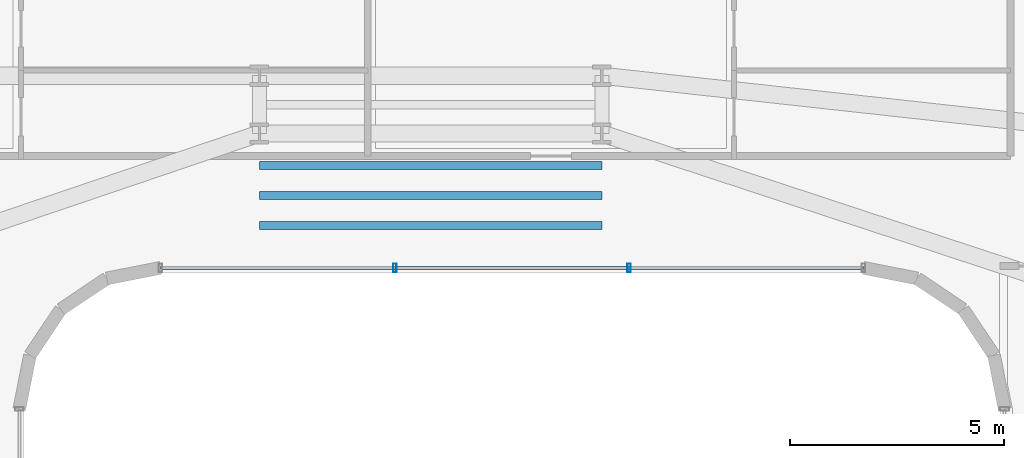
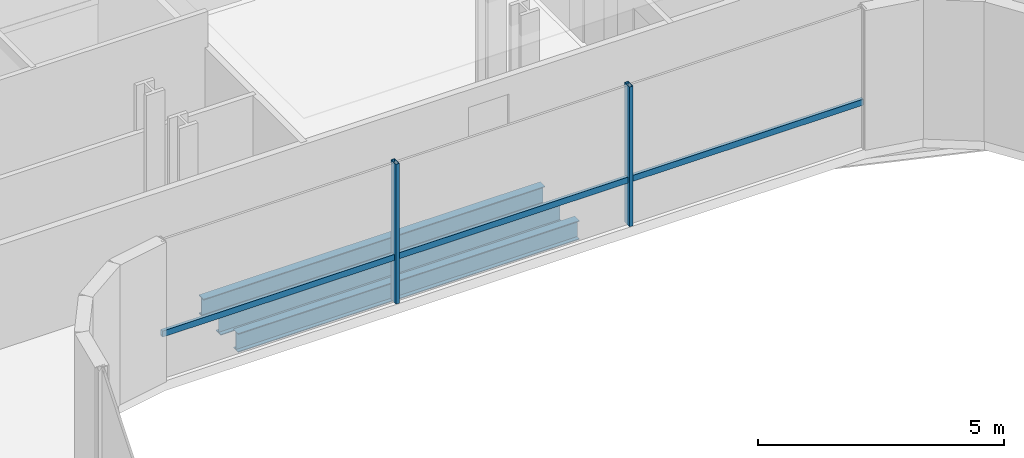
# One storey, part 14 of 40: 3 beams, 3 members, 1 element without a shape of its own.
"""IFC4 building model written with IfcOpenShell, lengths in metres."""

import ifcopenshell
import ifcopenshell.guid

model = None  # the IFC model being written
_history = None  # IfcOwnerHistory: only IFC2X3 demands one
_inside = {}  # id of a spatial element -> (the spatial element, [elements in it])
_under = {}  # id of a project, library or spatial element -> (it, [spatial elements below it])
_declared = {}  # id of a project -> (the project, [libraries it declares])
_typed = {}  # id of a type object -> (the type object, [elements of that type])
_made_of = {}  # id of a material, layer set ... -> (it, [elements and type objects made of it])


def new_model(schema):
    """Start an empty IFC model of exactly this schema.

    Asked for "IFC4X3", IfcOpenShell would pick the latest addendum, in which some entities
    have other attributes; the version numbers below select the first issue.
    IFC2X3 requires an IfcOwnerHistory on every rooted entity: one is made here for all.
    """
    global model, _history
    if schema == "IFC4X3":
        model = ifcopenshell.file(schema_version=(4, 3, 0, 0))
    else:
        model = ifcopenshell.file(schema=schema)
    _inside.clear()
    _under.clear()
    _declared.clear()
    _typed.clear()
    _made_of.clear()
    _history = None
    if model.schema == "IFC2X3":
        org = make("IfcOrganization", Name="unknown")
        user = make(
            "IfcPersonAndOrganization",
            ThePerson=make("IfcPerson", FamilyName="unknown"),
            TheOrganization=org,
        )
        app = make(
            "IfcApplication",
            ApplicationDeveloper=org,
            Version="unknown",
            ApplicationFullName="unknown",
            ApplicationIdentifier="unknown",
        )
        _history = make(
            "IfcOwnerHistory",
            OwningUser=user,
            OwningApplication=app,
            ChangeAction="ADDED",
            CreationDate=0,
        )
    return model


def make(cls, **values):
    """One entity of the class cls with the attributes given. An attribute that is None is left unset."""
    return model.create_entity(
        cls, **{name: value for name, value in values.items() if value is not None}
    )


def rooted(cls, **values):
    """An entity with a GlobalId (a new one), such as an element, a storey or a relation."""
    return make(cls, GlobalId=ifcopenshell.guid.new(), OwnerHistory=_history, **values)


def si_unit(unit_type, name, prefix=None):
    """IfcSIUnit, for example si_unit("LENGTHUNIT", "METRE", prefix="MILLI")."""
    return make("IfcSIUnit", UnitType=unit_type, Prefix=prefix, Name=name)


def assignment(units):
    """IfcUnitAssignment: the units of a project."""
    return None if units is None else make("IfcUnitAssignment", Units=units)


def point(xyz):
    """IfcCartesianPoint."""
    return None if xyz is None else make("IfcCartesianPoint", Coordinates=xyz)


def direction(xyz):
    """IfcDirection."""
    return None if xyz is None else make("IfcDirection", DirectionRatios=xyz)


def frame(location, z_axis=None, x_axis=None):
    """IfcAxis2Placement3D, a coordinate frame: its origin and axes. An axis left out is left unset."""
    return make(
        "IfcAxis2Placement3D",
        Location=point(location),
        Axis=direction(z_axis),
        RefDirection=direction(x_axis),
    )


def frame_2d(location, x_axis=None):
    """IfcAxis2Placement2D, a coordinate frame in the plane: its origin and x axis."""
    return make(
        "IfcAxis2Placement2D", Location=point(location), RefDirection=direction(x_axis)
    )


def origin():
    """The frame at (0, 0, 0) with its axes left unset."""
    return frame((0.0, 0.0, 0.0))


def origin_2d():
    """The frame at (0, 0) in the plane with its x axis left unset."""
    return frame_2d((0.0, 0.0))


def place(relative_to, where):
    """IfcLocalPlacement: puts the frame where relative to a parent placement (None: the world)."""
    return make(
        "IfcLocalPlacement", PlacementRelTo=relative_to, RelativePlacement=where
    )


def context(
    kind, dimensions, precision=None, world=None, true_north=None, identifier=None
):
    """IfcGeometricRepresentationContext, for example the 3D "Model" context."""
    return make(
        "IfcGeometricRepresentationContext",
        ContextIdentifier=identifier,
        ContextType=kind,
        CoordinateSpaceDimension=dimensions,
        Precision=precision,
        WorldCoordinateSystem=world,
        TrueNorth=true_north,
    )


def subcontext(parent, identifier, kind, view, scale=None):
    """IfcGeometricRepresentationSubContext, for example "Body" below "Model"."""
    return make(
        "IfcGeometricRepresentationSubContext",
        ContextIdentifier=identifier,
        ContextType=kind,
        ParentContext=parent,
        TargetScale=scale,
        TargetView=view,
    )


def project(units=None, contexts=None):
    """IfcProject with its units and contexts."""
    return rooted(
        "IfcProject",
        Name="project",
        RepresentationContexts=contexts,
        UnitsInContext=assignment(units),
    )


def spatial(cls, under=None, at=None, **own):
    """A site, building, storey or space (cls), placed at a placement, below another one or the project."""
    s = rooted(cls, ObjectPlacement=at, **own)
    if under is not None:
        _under.setdefault(under.id(), (under, []))[1].append(s)
    return s


def profile(cls, at=None, kind="AREA", **sizes):
    """A parametric profile (cls). Its sizes go by their IFC names, for example OverallWidth=200.0."""
    return make(cls, ProfileType=kind, Position=at, **sizes)


def hollow_rectangle(**sizes):
    """IfcRectangleHollowProfileDef."""
    return profile("IfcRectangleHollowProfileDef", **sizes)


def i_section(**sizes):
    """IfcIShapeProfileDef."""
    return profile("IfcIShapeProfileDef", **sizes)


def extrude(swept, where, along, depth):
    """IfcExtrudedAreaSolid: the profile swept, set in the frame where, extruded along a direction by depth."""
    return make(
        "IfcExtrudedAreaSolid",
        SweptArea=swept,
        Position=where,
        ExtrudedDirection=direction(along),
        Depth=depth,
    )


def shape(context_of_items, identifier, shape_type, items):
    """IfcShapeRepresentation: the items that make up one representation, for example the "Body"."""
    return make(
        "IfcShapeRepresentation",
        ContextOfItems=context_of_items,
        RepresentationIdentifier=identifier,
        RepresentationType=shape_type,
        Items=items,
    )


def source(mapping_origin, context_of_items, identifier, shape_type, items):
    """IfcRepresentationMap: a shape defined once, which mapped items show again and again."""
    return make(
        "IfcRepresentationMap",
        MappingOrigin=mapping_origin,
        MappedRepresentation=shape(context_of_items, identifier, shape_type, items),
    )


def transform(
    local_origin,
    x_axis=None,
    y_axis=None,
    z_axis=None,
    scale=None,
    scale2=None,
    scale3=None,
    uniform=True,
):
    """IfcCartesianTransformationOperator3D, or its non-uniform kind. x_axis, y_axis, z_axis: its Axis1, 2, 3."""
    if uniform:
        return make(
            "IfcCartesianTransformationOperator3D",
            Axis1=direction(x_axis),
            Axis2=direction(y_axis),
            LocalOrigin=point(local_origin),
            Scale=scale,
            Axis3=direction(z_axis),
        )
    return make(
        "IfcCartesianTransformationOperator3DnonUniform",
        Axis1=direction(x_axis),
        Axis2=direction(y_axis),
        LocalOrigin=point(local_origin),
        Scale=scale,
        Axis3=direction(z_axis),
        Scale2=scale2,
        Scale3=scale3,
    )


def mapped(mapping_source, mapping_target):
    """IfcMappedItem: shows the shape of a source again, moved by a transform."""
    return make(
        "IfcMappedItem", MappingSource=mapping_source, MappingTarget=mapping_target
    )


def material(Name=None, Category=None):
    """IfcMaterial."""
    return make("IfcMaterial", Name=Name, Category=Category)


def material_profile(
    of_material, cross_section, Name=None, Category=None, Priority=None
):
    """IfcMaterialProfile: a cross section and its material."""
    return make(
        "IfcMaterialProfile",
        Name=Name,
        Material=of_material,
        Profile=cross_section,
        Priority=Priority,
        Category=Category,
    )


def profile_set(profiles, Name=None, composite=None):
    """IfcMaterialProfileSet."""
    return make(
        "IfcMaterialProfileSet",
        Name=Name,
        MaterialProfiles=profiles,
        CompositeProfile=composite,
    )


def made_of(thing, what):
    """Note that an element or type object is made of a material, layer set ...; save() writes the relation."""
    if what is not None:
        _made_of.setdefault(what.id(), (what, []))[1].append(thing)
    return thing


def type_object(cls, material=None, **own):
    """A type object (cls), such as IfcWallType, which elements share."""
    return made_of(rooted(cls, **own), material)


def element(
    cls,
    number,
    at=None,
    inside=None,
    cuts=None,
    type_object=None,
    material=None,
    context=None,
    identifier="Body",
    shape_type=None,
    held_by="IfcProductDefinitionShape",
    body=None,
    shapes=None,
    **own,
):
    """One element of the class cls, such as IfcWall. Its Tag is "e" and its number.

    at: its placement. inside: the storey or other place that contains it. cuts: it is an
    opening in that element (IfcRelVoidsElement). A single representation is given by context,
    identifier, shape_type and body (its items); several are given by shapes. held_by: the class
    of the entity that holds the representations. save() writes the other relations.
    """
    e = rooted(cls, Tag="e%d" % number, ObjectPlacement=at, **own)
    if body is not None:
        shapes = [shape(context, identifier, shape_type, body)]
    if shapes is not None:
        e.Representation = make(held_by, Representations=shapes)
    if inside is not None:
        _inside.setdefault(inside.id(), (inside, []))[1].append(e)
    if cuts is not None:
        rooted(
            "IfcRelVoidsElement", RelatingBuildingElement=cuts, RelatedOpeningElement=e
        )
    if type_object is not None:
        _typed.setdefault(type_object.id(), (type_object, []))[1].append(e)
    return made_of(e, material)


def aggregate(whole, parts):
    """IfcRelAggregates: a whole, such as a stair, and the parts it consists of."""
    return rooted("IfcRelAggregates", RelatingObject=whole, RelatedObjects=parts)


def save(model, path):
    """Write the relations noted so far, then the file.

    IfcRelAggregates (storeys below a building ...), IfcRelContainedInSpatialStructure (elements
    in a storey), IfcRelDefinesByType, IfcRelAssociatesMaterial and IfcRelDeclares: one each for
    every whole, place, type object, material and project.
    """
    for whole, parts in _under.values():
        aggregate(whole, parts)
    for where, things in _inside.values():
        rooted(
            "IfcRelContainedInSpatialStructure",
            RelatedElements=things,
            RelatingStructure=where,
        )
    for kind, things in _typed.values():
        rooted("IfcRelDefinesByType", RelatedObjects=things, RelatingType=kind)
    for what, things in _made_of.values():
        rooted("IfcRelAssociatesMaterial", RelatedObjects=things, RelatingMaterial=what)
    for by, libraries in _declared.values():
        rooted("IfcRelDeclares", RelatingContext=by, RelatedDefinitions=libraries)
    model.write(path)


model = new_model("IFC4")

# Units and contexts
model_context = context("Model", 3, precision=1e-05, world=origin(), true_north=direction((0.0, 1.0)))
body_context = subcontext(model_context, "Body", "Model", "MODEL_VIEW")
ifc_project = project(units=[si_unit("LENGTHUNIT", "METRE"), si_unit("AREAUNIT", "SQUARE_METRE"), si_unit("VOLUMEUNIT", "CUBIC_METRE"), si_unit("PLANEANGLEUNIT", "RADIAN"), si_unit("MASSUNIT", "GRAM", prefix="KILO")], contexts=[model_context])

# Site, building, storey
site_placement = place(None, origin())
site = spatial("IfcSite", under=ifc_project, at=site_placement, CompositionType="ELEMENT")
building_placement = place(site_placement, origin())
building = spatial("IfcBuilding", under=site, at=building_placement, Name="Valdorenza Pilgrim Sanctuary Tower", CompositionType="ELEMENT")
storey_placement = place(building_placement, frame((0.0, 0.0, 40.800048828125)))
storey = spatial("IfcBuildingStorey", under=building, at=storey_placement, Name="L09", CompositionType="ELEMENT", Elevation=40.800048828125)

# Beams
ifc_material_1 = material(Name="Steel ASTM A992 Grade 50", Category="steel")
ifc_material_profile_1 = material_profile(ifc_material_1, i_section(OverallWidth=0.193115234375, OverallDepth=0.466064453125, WebThickness=0.011474609375, FlangeThickness=0.01904296875, at=origin_2d()), Name="W18X65")
ifc_profile_set_1 = profile_set([ifc_material_profile_1], Name="Steel ASTM A992 Grade 50")
beam_type = type_object("IfcBeamType", Name="STR-BM-JST-W18A", PredefinedType="JOIST", material=ifc_profile_set_1)
shared_shape_1 = source(origin(), body_context, "Body", "SweptSolid", [
    extrude(i_section(OverallWidth=0.193115234375, OverallDepth=0.466064453125, WebThickness=0.011474609375, FlangeThickness=0.01904296875, at=origin_2d()), origin(), (0.0, 0.0, 1.0), 8.0),
])
for number, where, z_axis, x_axis, name in (
    (1, (-4.0, 11.300048828125, -0.47314453125), (1.0, 0.0, 0.0), (0.0, 1.0, 0.0), "L09 Knuckle Composite Joist JST-KNK-1"),
    (2, (-4.0, 12.0, -0.47314453125), (1.0, 0.0, 0.0), (0.0, 1.0, 0.0), "L09 Knuckle Composite Joist JST-KNK-2"),
    (3, (-4.0, 12.699951171875, -0.47314453125), (1.0, 0.0, 0.0), (0.0, 1.0, 0.0), "L09 Knuckle Composite Joist JST-KNK-3"),
):
    element("IfcBeam", number, at=place(storey_placement, frame(where, z_axis=z_axis, x_axis=x_axis)), inside=storey, type_object=beam_type, Name=name, PredefinedType="JOIST", context=body_context, shape_type="MappedRepresentation", body=[
        mapped(shared_shape_1, transform((0.0, 0.0, 0.0), x_axis=(1.0, 0.0, 0.0), y_axis=(0.0, 1.0, 0.0), z_axis=(0.0, 0.0, 1.0), scale=1.0)),
    ])

# Curtain wall, members
ifc_material_2 = material(Name="Curtain-wall IGU glazing", Category="glass")
curtain_wall_type = type_object("IfcCurtainWallType", Name="CW-SYS-02", PredefinedType="NOTDEFINED", material=ifc_material_2)
curtain_wall_placement = place(storey_placement, origin())
curtain_wall = element("IfcCurtainWall", 4, at=curtain_wall_placement, inside=storey, type_object=curtain_wall_type, Name="L09 Curtain Wall CW-L09-1-36", PredefinedType="NOTDEFINED")
ifc_material_3 = material(Name="Anodised aluminium AW-6060", Category="aluminium")
ifc_material_profile_2 = material_profile(ifc_material_3, hollow_rectangle(XDim=0.0849609375, YDim=0.199951171875, WallThickness=0.0048828125, at=origin_2d()), Name="ALU-M 200x85x5")
ifc_profile_set_2 = profile_set([ifc_material_profile_2], Name="Anodised aluminium AW-6060")
member_type_1 = type_object("IfcMemberType", Name="CW-MUL-02", PredefinedType="MULLION", material=ifc_profile_set_2)
shared_shape_2 = source(origin(), body_context, "Body", "SweptSolid", [
    extrude(hollow_rectangle(XDim=0.0849609375, YDim=0.199951171875, WallThickness=0.0048828125, at=origin_2d()), origin(), (0.0, 0.0, 1.0), 3.4599609375),
])
member_1_placement = place(storey_placement, frame((4.636962890625, 10.31005859375, 0.0), z_axis=(0.0, 0.0, 1.0), x_axis=(-1.0, 0.0, 0.0)))
member_1 = element("IfcMember", 5, at=member_1_placement, type_object=member_type_1, Name="CW-L09-1-36 Mullion 2", PredefinedType="MULLION", context=body_context, shape_type="MappedRepresentation", body=[
    mapped(shared_shape_2, transform((0.0, 0.0, 0.0), x_axis=(1.0, 0.0, 0.0), y_axis=(0.0, 1.0, 0.0), z_axis=(0.0, 0.0, 1.0), scale=1.0)),
])
member_2_placement = place(storey_placement, frame((-0.8369140625, 10.31005859375, 0.0), z_axis=(0.0, 0.0, 1.0), x_axis=(-1.0, 0.0, 0.0)))
member_2 = element("IfcMember", 6, at=member_2_placement, type_object=member_type_1, Name="CW-L09-1-36 Mullion 3", PredefinedType="MULLION", context=body_context, shape_type="MappedRepresentation", body=[
    mapped(shared_shape_2, transform((0.0, 0.0, 0.0), x_axis=(1.0, 0.0, 0.0), y_axis=(0.0, 1.0, 0.0), z_axis=(0.0, 0.0, 1.0), scale=1.0)),
])
ifc_material_profile_3 = material_profile(ifc_material_3, hollow_rectangle(XDim=0.074951171875, YDim=0.14990234375, WallThickness=0.00390625, at=origin_2d()), Name="ALU-T 150x75x4")
ifc_profile_set_3 = profile_set([ifc_material_profile_3], Name="Anodised aluminium AW-6060")
member_type_2 = type_object("IfcMemberType", Name="CW-TRN-02", PredefinedType="USERDEFINED", material=ifc_profile_set_3)
shared_shape_3 = source(origin(), body_context, "Body", "SweptSolid", [
    extrude(hollow_rectangle(XDim=0.074951171875, YDim=0.14990234375, WallThickness=0.00390625, at=origin_2d()), origin(), (0.0, 0.0, 1.0), 16.421630859375),
])
member_3_placement = place(storey_placement, frame((10.11083984375, 10.31005859375, 1.119873046875), z_axis=(-1.0, 0.0, 0.0), x_axis=(0.0, -1.0, 0.0)))
member_3 = element("IfcMember", 7, at=member_3_placement, type_object=member_type_2, Name="CW-L09-1-36 Transom 1", ObjectType="TRANSOM", PredefinedType="USERDEFINED", context=body_context, shape_type="MappedRepresentation", body=[
    mapped(shared_shape_3, transform((0.0, 0.0, 0.0), x_axis=(1.0, 0.0, 0.0), y_axis=(0.0, 1.0, 0.0), z_axis=(0.0, 0.0, 1.0), scale=1.0)),
])
aggregate(curtain_wall, [member_1, member_2, member_3])

save(model, "model.ifc")
